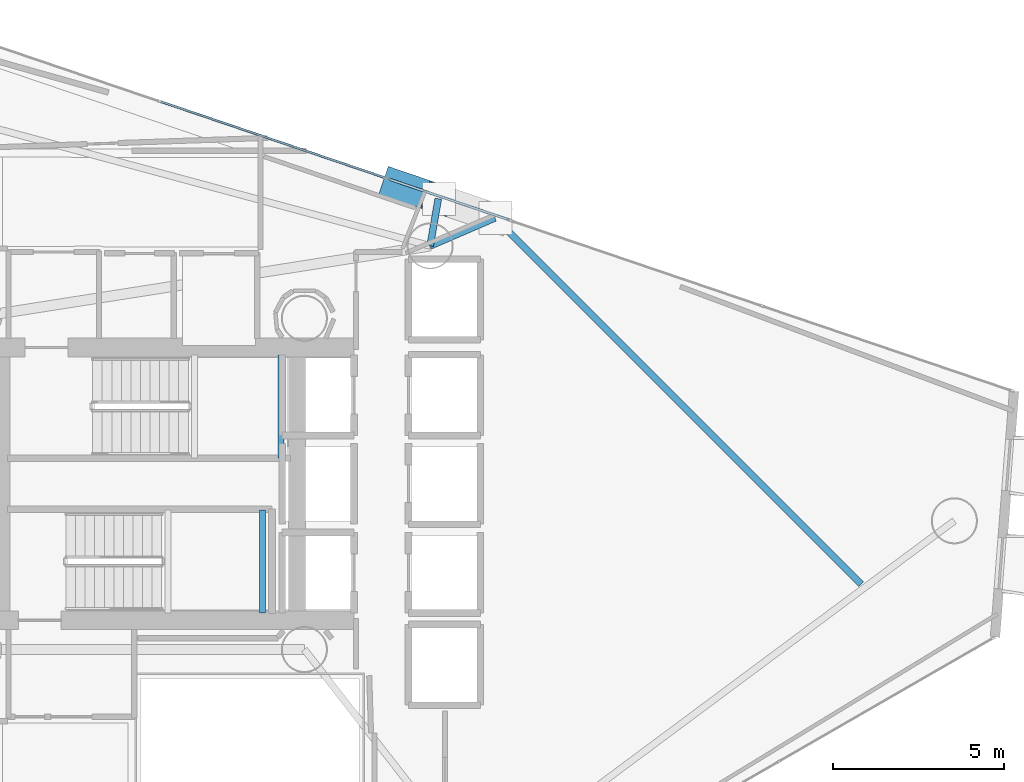
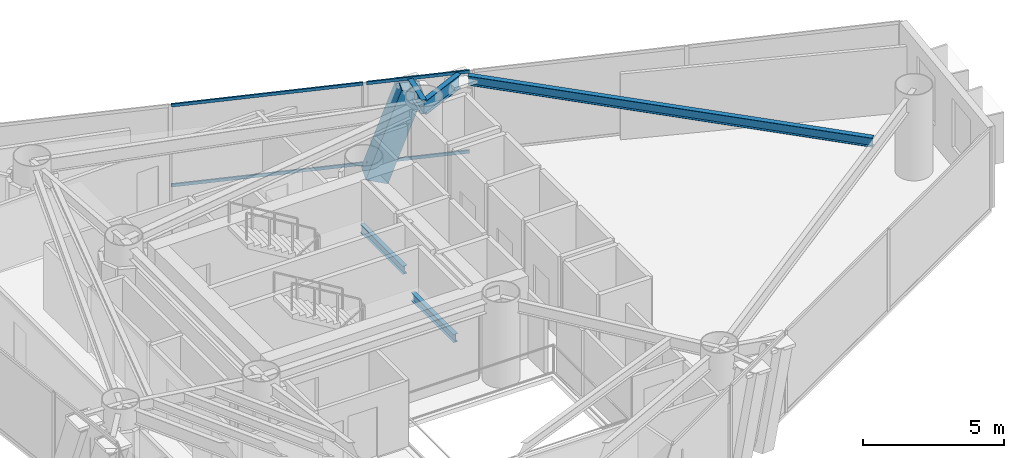
# One storey, part 13 of 22: 5 beams, 5 members, 2 elements without a shape of their own.
"""IFC4 building model written with IfcOpenShell, lengths in metres."""

import ifcopenshell
import ifcopenshell.guid

model = None  # the IFC model being written
_history = None  # IfcOwnerHistory: only IFC2X3 demands one
_inside = {}  # id of a spatial element -> (the spatial element, [elements in it])
_under = {}  # id of a project, library or spatial element -> (it, [spatial elements below it])
_declared = {}  # id of a project -> (the project, [libraries it declares])
_typed = {}  # id of a type object -> (the type object, [elements of that type])
_made_of = {}  # id of a material, layer set ... -> (it, [elements and type objects made of it])


def new_model(schema):
    """Start an empty IFC model of exactly this schema.

    Asked for "IFC4X3", IfcOpenShell would pick the latest addendum, in which some entities
    have other attributes; the version numbers below select the first issue.
    IFC2X3 requires an IfcOwnerHistory on every rooted entity: one is made here for all.
    """
    global model, _history
    if schema == "IFC4X3":
        model = ifcopenshell.file(schema_version=(4, 3, 0, 0))
    else:
        model = ifcopenshell.file(schema=schema)
    _inside.clear()
    _under.clear()
    _declared.clear()
    _typed.clear()
    _made_of.clear()
    _history = None
    if model.schema == "IFC2X3":
        org = make("IfcOrganization", Name="unknown")
        user = make(
            "IfcPersonAndOrganization",
            ThePerson=make("IfcPerson", FamilyName="unknown"),
            TheOrganization=org,
        )
        app = make(
            "IfcApplication",
            ApplicationDeveloper=org,
            Version="unknown",
            ApplicationFullName="unknown",
            ApplicationIdentifier="unknown",
        )
        _history = make(
            "IfcOwnerHistory",
            OwningUser=user,
            OwningApplication=app,
            ChangeAction="ADDED",
            CreationDate=0,
        )
    return model


def make(cls, **values):
    """One entity of the class cls with the attributes given. An attribute that is None is left unset."""
    return model.create_entity(
        cls, **{name: value for name, value in values.items() if value is not None}
    )


def rooted(cls, **values):
    """An entity with a GlobalId (a new one), such as an element, a storey or a relation."""
    return make(cls, GlobalId=ifcopenshell.guid.new(), OwnerHistory=_history, **values)


def si_unit(unit_type, name, prefix=None):
    """IfcSIUnit, for example si_unit("LENGTHUNIT", "METRE", prefix="MILLI")."""
    return make("IfcSIUnit", UnitType=unit_type, Prefix=prefix, Name=name)


def assignment(units):
    """IfcUnitAssignment: the units of a project."""
    return None if units is None else make("IfcUnitAssignment", Units=units)


def point(xyz):
    """IfcCartesianPoint."""
    return None if xyz is None else make("IfcCartesianPoint", Coordinates=xyz)


def direction(xyz):
    """IfcDirection."""
    return None if xyz is None else make("IfcDirection", DirectionRatios=xyz)


def frame(location, z_axis=None, x_axis=None):
    """IfcAxis2Placement3D, a coordinate frame: its origin and axes. An axis left out is left unset."""
    return make(
        "IfcAxis2Placement3D",
        Location=point(location),
        Axis=direction(z_axis),
        RefDirection=direction(x_axis),
    )


def frame_2d(location, x_axis=None):
    """IfcAxis2Placement2D, a coordinate frame in the plane: its origin and x axis."""
    return make(
        "IfcAxis2Placement2D", Location=point(location), RefDirection=direction(x_axis)
    )


def origin():
    """The frame at (0, 0, 0) with its axes left unset."""
    return frame((0.0, 0.0, 0.0))


def origin_2d():
    """The frame at (0, 0) in the plane with its x axis left unset."""
    return frame_2d((0.0, 0.0))


def place(relative_to, where):
    """IfcLocalPlacement: puts the frame where relative to a parent placement (None: the world)."""
    return make(
        "IfcLocalPlacement", PlacementRelTo=relative_to, RelativePlacement=where
    )


def context(
    kind, dimensions, precision=None, world=None, true_north=None, identifier=None
):
    """IfcGeometricRepresentationContext, for example the 3D "Model" context."""
    return make(
        "IfcGeometricRepresentationContext",
        ContextIdentifier=identifier,
        ContextType=kind,
        CoordinateSpaceDimension=dimensions,
        Precision=precision,
        WorldCoordinateSystem=world,
        TrueNorth=true_north,
    )


def subcontext(parent, identifier, kind, view, scale=None):
    """IfcGeometricRepresentationSubContext, for example "Body" below "Model"."""
    return make(
        "IfcGeometricRepresentationSubContext",
        ContextIdentifier=identifier,
        ContextType=kind,
        ParentContext=parent,
        TargetScale=scale,
        TargetView=view,
    )


def project(units=None, contexts=None):
    """IfcProject with its units and contexts."""
    return rooted(
        "IfcProject",
        Name="project",
        RepresentationContexts=contexts,
        UnitsInContext=assignment(units),
    )


def spatial(cls, under=None, at=None, **own):
    """A site, building, storey or space (cls), placed at a placement, below another one or the project."""
    s = rooted(cls, ObjectPlacement=at, **own)
    if under is not None:
        _under.setdefault(under.id(), (under, []))[1].append(s)
    return s


def profile(cls, at=None, kind="AREA", **sizes):
    """A parametric profile (cls). Its sizes go by their IFC names, for example OverallWidth=200.0."""
    return make(cls, ProfileType=kind, Position=at, **sizes)


def hollow_rectangle(**sizes):
    """IfcRectangleHollowProfileDef."""
    return profile("IfcRectangleHollowProfileDef", **sizes)


def i_section(**sizes):
    """IfcIShapeProfileDef."""
    return profile("IfcIShapeProfileDef", **sizes)


def extrude(swept, where, along, depth):
    """IfcExtrudedAreaSolid: the profile swept, set in the frame where, extruded along a direction by depth."""
    return make(
        "IfcExtrudedAreaSolid",
        SweptArea=swept,
        Position=where,
        ExtrudedDirection=direction(along),
        Depth=depth,
    )


def shape(context_of_items, identifier, shape_type, items):
    """IfcShapeRepresentation: the items that make up one representation, for example the "Body"."""
    return make(
        "IfcShapeRepresentation",
        ContextOfItems=context_of_items,
        RepresentationIdentifier=identifier,
        RepresentationType=shape_type,
        Items=items,
    )


def material(Name=None, Category=None):
    """IfcMaterial."""
    return make("IfcMaterial", Name=Name, Category=Category)


def layer(
    of_material, thickness, ventilated=None, Name=None, Category=None, Priority=None
):
    """IfcMaterialLayer: one layer of a wall or slab, of a material (None: an air gap)."""
    return make(
        "IfcMaterialLayer",
        Material=of_material,
        LayerThickness=thickness,
        IsVentilated=ventilated,
        Name=Name,
        Category=Category,
        Priority=Priority,
    )


def layer_set(layers, Name=None):
    """IfcMaterialLayerSet."""
    return make("IfcMaterialLayerSet", MaterialLayers=layers, LayerSetName=Name)


def material_profile(
    of_material, cross_section, Name=None, Category=None, Priority=None
):
    """IfcMaterialProfile: a cross section and its material."""
    return make(
        "IfcMaterialProfile",
        Name=Name,
        Material=of_material,
        Profile=cross_section,
        Priority=Priority,
        Category=Category,
    )


def profile_set(profiles, Name=None, composite=None):
    """IfcMaterialProfileSet."""
    return make(
        "IfcMaterialProfileSet",
        Name=Name,
        MaterialProfiles=profiles,
        CompositeProfile=composite,
    )


def made_of(thing, what):
    """Note that an element or type object is made of a material, layer set ...; save() writes the relation."""
    if what is not None:
        _made_of.setdefault(what.id(), (what, []))[1].append(thing)
    return thing


def type_object(cls, material=None, **own):
    """A type object (cls), such as IfcWallType, which elements share."""
    return made_of(rooted(cls, **own), material)


def element(
    cls,
    number,
    at=None,
    inside=None,
    cuts=None,
    type_object=None,
    material=None,
    context=None,
    identifier="Body",
    shape_type=None,
    held_by="IfcProductDefinitionShape",
    body=None,
    shapes=None,
    **own,
):
    """One element of the class cls, such as IfcWall. Its Tag is "e" and its number.

    at: its placement. inside: the storey or other place that contains it. cuts: it is an
    opening in that element (IfcRelVoidsElement). A single representation is given by context,
    identifier, shape_type and body (its items); several are given by shapes. held_by: the class
    of the entity that holds the representations. save() writes the other relations.
    """
    e = rooted(cls, Tag="e%d" % number, ObjectPlacement=at, **own)
    if body is not None:
        shapes = [shape(context, identifier, shape_type, body)]
    if shapes is not None:
        e.Representation = make(held_by, Representations=shapes)
    if inside is not None:
        _inside.setdefault(inside.id(), (inside, []))[1].append(e)
    if cuts is not None:
        rooted(
            "IfcRelVoidsElement", RelatingBuildingElement=cuts, RelatedOpeningElement=e
        )
    if type_object is not None:
        _typed.setdefault(type_object.id(), (type_object, []))[1].append(e)
    return made_of(e, material)


def aggregate(whole, parts):
    """IfcRelAggregates: a whole, such as a stair, and the parts it consists of."""
    return rooted("IfcRelAggregates", RelatingObject=whole, RelatedObjects=parts)


def save(model, path):
    """Write the relations noted so far, then the file.

    IfcRelAggregates (storeys below a building ...), IfcRelContainedInSpatialStructure (elements
    in a storey), IfcRelDefinesByType, IfcRelAssociatesMaterial and IfcRelDeclares: one each for
    every whole, place, type object, material and project.
    """
    for whole, parts in _under.values():
        aggregate(whole, parts)
    for where, things in _inside.values():
        rooted(
            "IfcRelContainedInSpatialStructure",
            RelatedElements=things,
            RelatingStructure=where,
        )
    for kind, things in _typed.values():
        rooted("IfcRelDefinesByType", RelatedObjects=things, RelatingType=kind)
    for what, things in _made_of.values():
        rooted("IfcRelAssociatesMaterial", RelatedObjects=things, RelatingMaterial=what)
    for by, libraries in _declared.values():
        rooted("IfcRelDeclares", RelatingContext=by, RelatedDefinitions=libraries)
    model.write(path)


model = new_model("IFC4")

# Units and contexts
model_context = context("Model", 3, precision=1e-05, world=origin(), true_north=direction((0.0, 1.0)))
body_context = subcontext(model_context, "Body", "Model", "MODEL_VIEW")
ifc_project = project(units=[si_unit("LENGTHUNIT", "METRE"), si_unit("AREAUNIT", "SQUARE_METRE"), si_unit("VOLUMEUNIT", "CUBIC_METRE"), si_unit("PLANEANGLEUNIT", "RADIAN"), si_unit("MASSUNIT", "GRAM", prefix="KILO")], contexts=[model_context])

# Site, building, storey
site_placement = place(None, origin())
site = spatial("IfcSite", under=ifc_project, at=site_placement, CompositionType="ELEMENT")
building_placement = place(site_placement, origin())
building = spatial("IfcBuilding", under=site, at=building_placement, Name="Qianvela Tower", CompositionType="ELEMENT")
storey_placement = place(building_placement, frame((0.0, 0.0, 169.800048828125)))
storey = spatial("IfcBuildingStorey", under=building, at=storey_placement, Name="L43", CompositionType="ELEMENT", Elevation=169.800048828125)

# Beams
ifc_material_1 = material(Name="Steel Q355B", Category="steel")
ifc_material_profile_1 = material_profile(ifc_material_1, i_section(OverallWidth=0.175048828125, OverallDepth=0.35009765625, WebThickness=0.007080078125, FlangeThickness=0.010986328125, at=origin_2d()), Name="HN350x175x7x11")
ifc_profile_set_1 = profile_set([ifc_material_profile_1], Name="Steel Q355B")
beam_type_1 = type_object("IfcBeamType", Name="BM-HN350-JOIST", PredefinedType="JOIST", material=ifc_profile_set_1)
for number, where, z_axis, x_axis, name in (
    (1, (37.719970703125, 29.4599609375, 1.474853515625), (0.0, 1.0, 0.0), (-1.0, 0.0, 0.0), "L43 Stair ST-1 Landing Support Beam 1.2"),
    (2, (37.169921875, 24.919921875, 1.474853515625), (0.0, 1.0, 0.0), (-1.0, 0.0, 0.0), "L43 Stair ST-2 Landing Support Beam 1.2"),
):
    element("IfcBeam", number, at=place(storey_placement, frame(where, z_axis=z_axis, x_axis=x_axis)), inside=storey, type_object=beam_type_1, Name=name, PredefinedType="JOIST", context=body_context, shape_type="SweptSolid", body=[
        extrude(i_section(OverallWidth=0.175048828125, OverallDepth=0.35009765625, WebThickness=0.007080078125, FlangeThickness=0.010986328125, at=origin_2d()), origin(), (0.0, 0.0, 1.0), 3.02001953125),
    ])
ifc_material_2 = material(Name="Steel Q355B", Category="steel")
ifc_material_profile_2 = material_profile(ifc_material_2, i_section(OverallWidth=0.199951171875, OverallDepth=0.39990234375, WebThickness=0.008056640625, FlangeThickness=0.012939453125, at=origin_2d()), Name="HN400x200x8x13")
ifc_profile_set_2 = profile_set([ifc_material_profile_2], Name="Steel Q355B")
beam_type_2 = type_object("IfcBeamType", Name="BM-HN400-JOIST", PredefinedType="JOIST", material=ifc_profile_set_2)
beam_1_placement = place(storey_placement, frame((54.700439453125, 25.76611328125, 3.31787109375), z_axis=(-0.707106781187, 0.707106781187, 0.0), x_axis=(-0.707106781187, -0.707106781187, 0.0)))
element("IfcBeam", 3, at=beam_1_placement, inside=storey, type_object=beam_type_2, Name="L43 Bay Secondary Floor Joist 1", PredefinedType="JOIST", context=body_context, shape_type="SweptSolid", body=[
    extrude(i_section(OverallWidth=0.199951171875, OverallDepth=0.39990234375, WebThickness=0.008056640625, FlangeThickness=0.012939453125, at=origin_2d()), origin(), (0.0, 0.0, 1.0), 14.81689453125),
])
ifc_material_3 = material(Name="Steel Q355B", Category="steel")
ifc_material_profile_3 = material_profile(ifc_material_3, i_section(OverallWidth=0.199951171875, OverallDepth=0.60009765625, WebThickness=0.010986328125, FlangeThickness=0.01708984375, at=origin_2d()), Name="HN600x200x11x17")
ifc_profile_set_3 = profile_set([ifc_material_profile_3], Name="Steel Q355B")
beam_type_3 = type_object("IfcBeamType", Name="BM-HN600-GIRD", PredefinedType="BEAM", material=ifc_profile_set_3)
beam_2_placement = place(storey_placement, frame((42.0830078125, 35.6689453125, 3.218017578125), z_axis=(0.918010543162, 0.396555976683, 0.0), x_axis=(-0.396555976683, 0.918010543162, 0.0)))
element("IfcBeam", 4, at=beam_2_placement, inside=storey, type_object=beam_type_3, Name="L43 Mega-Brace Column Tie Bracket F1-1", PredefinedType="BEAM", context=body_context, shape_type="SweptSolid", body=[
    extrude(i_section(OverallWidth=0.199951171875, OverallDepth=0.60009765625, WebThickness=0.010986328125, FlangeThickness=0.01708984375, at=origin_2d()), origin(), (0.0, 0.0, 1.0), 2.066162109375),
])
beam_3_placement = place(storey_placement, frame((42.0830078125, 35.6689453125, 3.218017578125), z_axis=(0.169137684452, 0.985592432854, 0.0), x_axis=(-0.985592432854, 0.169137684452, 0.0)))
element("IfcBeam", 5, at=beam_3_placement, inside=storey, type_object=beam_type_3, Name="L43 Mega-Brace Column Tie Bracket F1-2", PredefinedType="BEAM", context=body_context, shape_type="SweptSolid", body=[
    extrude(i_section(OverallWidth=0.199951171875, OverallDepth=0.60009765625, WebThickness=0.010986328125, FlangeThickness=0.01708984375, at=origin_2d()), origin(), (0.0, 0.0, 1.0), 1.403076171875),
])

# Curtain wall, members
ifc_material_4 = material(Name="Anodised Architectural Aluminium and Insulated Spandrel Panel", Category="aluminium")
ifc_layer_1 = layer(ifc_material_4, 0.179931640625)
ifc_layer_set_1 = layer_set([ifc_layer_1], Name="Anodised Architectural Aluminium and Insulated Spandrel Panel")
curtain_wall_type_1 = type_object("IfcCurtainWallType", Name="CW-BRACEBAY", PredefinedType="USERDEFINED", material=ifc_layer_set_1)
curtain_wall_1_placement = place(storey_placement, origin())
curtain_wall_1 = element("IfcCurtainWall", 6, at=curtain_wall_1_placement, inside=storey, type_object=curtain_wall_type_1, Name="L43 CW-BRACEBAY Curtain Wall 02B", ObjectType="CURTAIN_WALL_SYSTEM", PredefinedType="USERDEFINED")
ifc_material_5 = material(Name="Anodised Architectural Aluminium 6063-T6", Category="aluminium")
ifc_material_profile_4 = material_profile(ifc_material_5, hollow_rectangle(XDim=0.06494140625, YDim=0.1298828125, WallThickness=0.00439453125, at=origin_2d()), Name="ALU-TRAN-65x130")
ifc_profile_set_4 = profile_set([ifc_material_profile_4], Name="Anodised Architectural Aluminium 6063-T6")
member_type_1 = type_object("IfcMemberType", Name="CW-BRACEBAY-TRAN", PredefinedType="USERDEFINED", material=ifc_profile_set_4)
member_1_placement = place(storey_placement, frame((44.378662109375, 36.4375, 0.032470703125), z_axis=(-0.946925057587, 0.321454406276, 0.0), x_axis=(-0.321454406276, -0.946925057587, 0.0)))
member_1 = element("IfcMember", 7, at=member_1_placement, type_object=member_type_1, Name="CW-9 transom 1.1", ObjectType="TRANSOM", PredefinedType="USERDEFINED", context=body_context, shape_type="SweptSolid", body=[
    extrude(hollow_rectangle(XDim=0.06494140625, YDim=0.1298828125, WallThickness=0.00439453125, at=origin_2d()), origin(), (0.0, 0.0, 1.0), 3.710205078125),
])
member_2_placement = place(storey_placement, frame((44.378662109375, 36.4375, 3.487548828125), z_axis=(-0.946925057587, 0.321454406276, 0.0), x_axis=(-0.321454406276, -0.946925057587, 0.0)))
member_2 = element("IfcMember", 8, at=member_2_placement, type_object=member_type_1, Name="CW-9 transom 1.2", ObjectType="TRANSOM", PredefinedType="USERDEFINED", context=body_context, shape_type="SweptSolid", body=[
    extrude(hollow_rectangle(XDim=0.06494140625, YDim=0.1298828125, WallThickness=0.00439453125, at=origin_2d()), origin(), (0.0, 0.0, 1.0), 3.710205078125),
])
aggregate(curtain_wall_1, [member_1, member_2])

ifc_material_6 = material(Name="Anodised Architectural Aluminium and Low-E Glass", Category="aluminium")
ifc_layer_2 = layer(ifc_material_6, 0.169921875)
ifc_layer_set_2 = layer_set([ifc_layer_2], Name="Anodised Architectural Aluminium and Low-E Glass")
curtain_wall_type_2 = type_object("IfcCurtainWallType", Name="CW-COLIV-Z34", PredefinedType="USERDEFINED", material=ifc_layer_set_2)
curtain_wall_2_placement = place(storey_placement, origin())
curtain_wall_2 = element("IfcCurtainWall", 9, at=curtain_wall_2_placement, inside=storey, type_object=curtain_wall_type_2, Name="L43 CW-COLIV-Z34 Curtain Wall 02C", ObjectType="CURTAIN_WALL_SYSTEM", PredefinedType="USERDEFINED")
ifc_material_7 = material(Name="Anodised Architectural Aluminium 6063-T6", Category="aluminium")
ifc_material_profile_5 = material_profile(ifc_material_7, hollow_rectangle(XDim=0.06494140625, YDim=0.1298828125, WallThickness=0.00439453125, at=origin_2d()), Name="ALU-TRAN-65x130")
ifc_profile_set_5 = profile_set([ifc_material_profile_5], Name="Anodised Architectural Aluminium 6063-T6")
member_type_2 = type_object("IfcMemberType", Name="CW-COLIV-Z34-TRAN", PredefinedType="USERDEFINED", material=ifc_profile_set_5)
member_3_placement = place(storey_placement, frame((40.742431640625, 37.671875, 0.032470703125), z_axis=(-0.946909190511, 0.321501142961, 0.0), x_axis=(-0.321501142961, -0.946909190511, 0.0)))
member_3 = element("IfcMember", 10, at=member_3_placement, type_object=member_type_2, Name="CW-4 transom 1.1", ObjectType="TRANSOM", PredefinedType="USERDEFINED", context=body_context, shape_type="SweptSolid", body=[
    extrude(hollow_rectangle(XDim=0.06494140625, YDim=0.1298828125, WallThickness=0.00439453125, at=origin_2d()), origin(), (0.0, 0.0, 1.0), 6.910400390625),
])
member_4_placement = place(storey_placement, frame((40.742431640625, 37.671875, 3.487548828125), z_axis=(-0.946909190511, 0.321501142961, 0.0), x_axis=(-0.321501142961, -0.946909190511, 0.0)))
member_4 = element("IfcMember", 11, at=member_4_placement, type_object=member_type_2, Name="CW-4 transom 1.2", ObjectType="TRANSOM", PredefinedType="USERDEFINED", context=body_context, shape_type="SweptSolid", body=[
    extrude(hollow_rectangle(XDim=0.06494140625, YDim=0.1298828125, WallThickness=0.00439453125, at=origin_2d()), origin(), (0.0, 0.0, 1.0), 6.910400390625),
])
aggregate(curtain_wall_2, [member_3, member_4])

# Member
ifc_material_8 = material(Name="Steel Q420GJC", Category="steel")
ifc_material_profile_6 = material_profile(ifc_material_8, hollow_rectangle(XDim=0.85009765625, YDim=0.85009765625, WallThickness=0.031982421875, at=origin_2d()), Name="MBOX-850x850x32")
ifc_profile_set_6 = profile_set([ifc_material_profile_6], Name="Steel Q420GJC")
member_type_3 = type_object("IfcMemberType", Name="MBR-MBRACE-850", PredefinedType="BRACE", material=ifc_profile_set_6)
member_5_placement = place(storey_placement, frame((41.099853515625, 37.46630859375, -0.48193359375), z_axis=(0.311497592988, -0.105805743728, 0.944338071962), x_axis=(0.321620876706, 0.946868529241, 0.0)))
element("IfcMember", 12, at=member_5_placement, inside=storey, type_object=member_type_3, Name="L43 Tier 7 Exterior Mega-Brace F1B", PredefinedType="BRACE", context=body_context, shape_type="SweptSolid", body=[
    extrude(hollow_rectangle(XDim=0.85009765625, YDim=0.85009765625, WallThickness=0.031982421875, at=origin_2d()), origin(), (0.0, 0.0, 1.0), 3.91796875),
])

save(model, "model.ifc")
